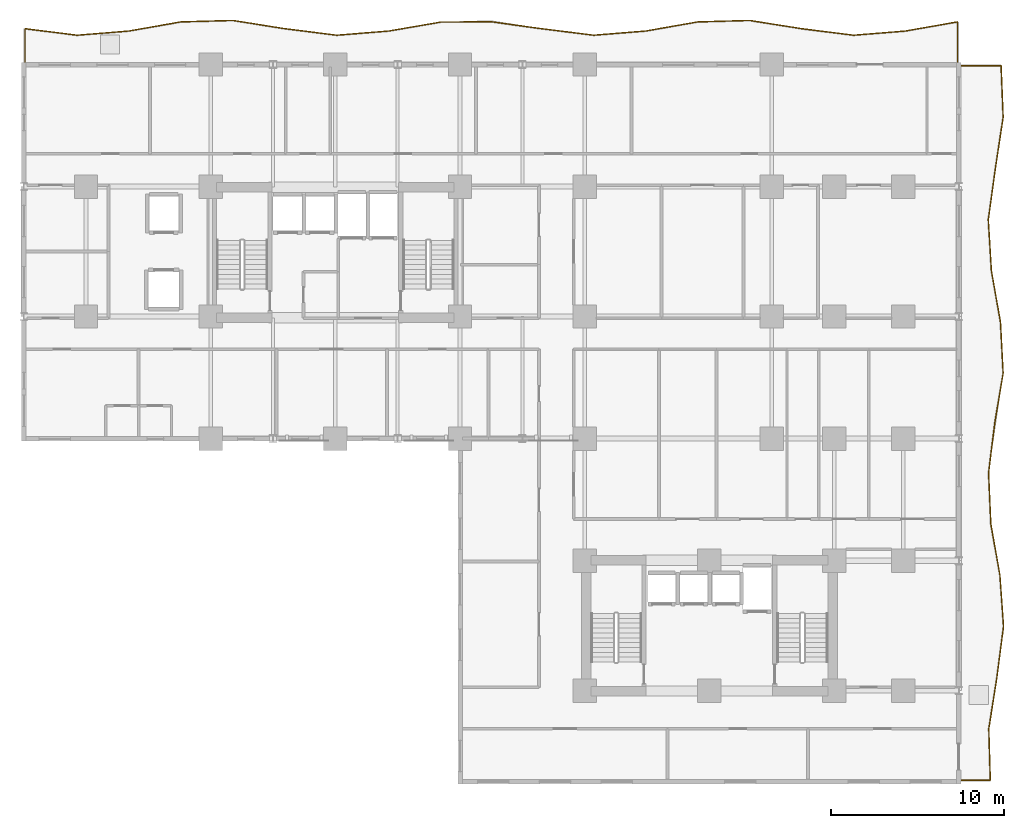
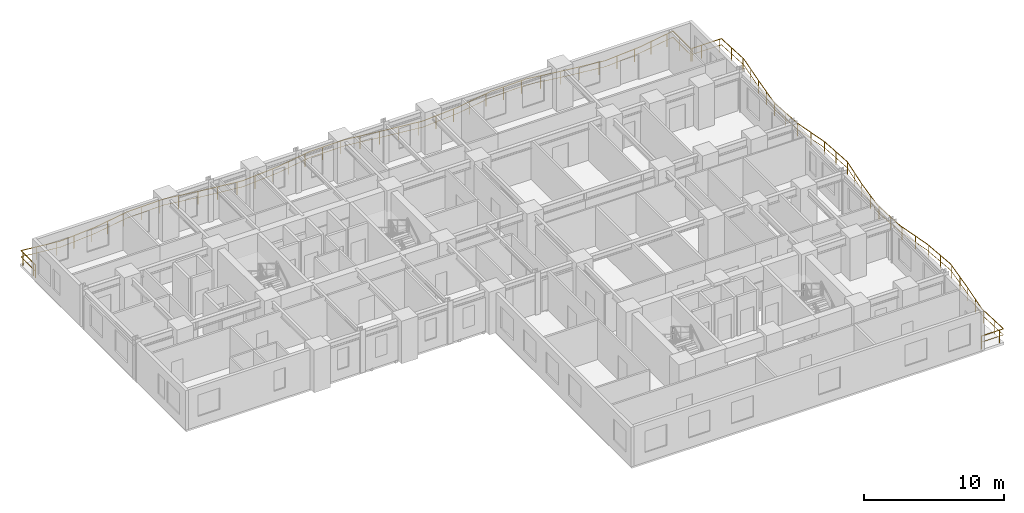
# One storey, part 11 of 11: 2 railings.
"""IFC4 building model written with IfcOpenShell, lengths in metres."""

from ifc_helpers import new_model, si_unit, direction, frame, origin, origin_2d, place, context, subcontext, project, spatial, rectangle, extrude, material, type_object, element, save


model = new_model("IFC4")

# Units and contexts
model_context = context("Model", 3, precision=1e-05, world=origin(), true_north=direction((0.0, 1.0)))
body_context = subcontext(model_context, "Body", "Model", "MODEL_VIEW")
ifc_project = project(units=[si_unit("LENGTHUNIT", "METRE"), si_unit("AREAUNIT", "SQUARE_METRE"), si_unit("VOLUMEUNIT", "CUBIC_METRE"), si_unit("PLANEANGLEUNIT", "RADIAN"), si_unit("MASSUNIT", "GRAM", prefix="KILO")], contexts=[model_context])

# Site, building, storey
site_placement = place(None, origin())
site = spatial("IfcSite", under=ifc_project, at=site_placement, CompositionType="ELEMENT")
building_placement = place(site_placement, origin())
building = spatial("IfcBuilding", under=site, at=building_placement, Name="Kaliganga Portal Commons", CompositionType="ELEMENT")
storey_placement = place(building_placement, frame((0.0, 0.0, 36.39990234375)))
storey = spatial("IfcBuildingStorey", under=building, at=storey_placement, Name="L08", CompositionType="ELEMENT", Elevation=36.39990234375)

# Railings
ifc_material = material(Name="Laminated Safety Glass and Stainless Steel 316", Category="steel")
railing_type = type_object("IfcRailingType", Name="RLG-BAL-1150", PredefinedType="BALUSTRADE", material=ifc_material)
railing_1_placement = place(storey_placement, frame((57.520263671875, 43.205810546875, 0.0)))
element("IfcRailing", 1, at=railing_1_placement, inside=storey, type_object=railing_type, Name="Balcony Guardrail L08 balc_north", PredefinedType="BALUSTRADE", context=body_context, shape_type="SweptSolid", body=[
    extrude(rectangle(XDim=0.048095703125, YDim=0.048095703125, at=origin_2d()), frame((0.0, 0.0, 1.1259765625), z_axis=(-9.9295005e-05, 0.99999999507, 0.0), x_axis=(-0.99999999507, -9.9295005e-05, 0.0)), (0.0, 0.0, 1.0), 2.458740234375),
    extrude(rectangle(XDim=0.028076171875, YDim=0.028076171875, at=origin_2d()), frame((0.0, 0.0, 0.597900390625), z_axis=(-9.9295005e-05, 0.99999999507, 0.0), x_axis=(-0.99999999507, -9.9295005e-05, 0.0)), (0.0, 0.0, 1.0), 2.458740234375),
    extrude(rectangle(XDim=0.048095703125, YDim=0.048095703125, at=origin_2d()), frame((-0.000244140625, 2.458740234375, 1.1259765625), z_axis=(-0.984817426759, -0.173593306182, 0.0), x_axis=(0.173593306182, -0.984817426759, 0.0)), (0.0, 0.0, 1.0), 3.046142578125),
    extrude(rectangle(XDim=0.028076171875, YDim=0.028076171875, at=origin_2d()), frame((-0.000244140625, 2.458740234375, 0.597900390625), z_axis=(-0.984817426759, -0.173593306182, 0.0), x_axis=(0.173593306182, -0.984817426759, 0.0)), (0.0, 0.0, 1.0), 3.046142578125),
    extrude(rectangle(XDim=0.048095703125, YDim=0.048095703125, at=origin_2d()), frame((-3.000244140625, 1.929931640625, 1.1259765625), z_axis=(-0.996744217551, -0.080628560567, 0.0), x_axis=(0.080628560567, -0.996744217551, 0.0)), (0.0, 0.0, 1.0), 3.009765625),
    extrude(rectangle(XDim=0.028076171875, YDim=0.028076171875, at=origin_2d()), frame((-3.000244140625, 1.929931640625, 0.597900390625), z_axis=(-0.996744217551, -0.080628560567, 0.0), x_axis=(0.080628560567, -0.996744217551, 0.0)), (0.0, 0.0, 1.0), 3.009765625),
    extrude(rectangle(XDim=0.048095703125, YDim=0.048095703125, at=origin_2d()), frame((-6.000244140625, 1.687255859375, 1.1259765625), z_axis=(-0.992158168336, 0.124988675503, 0.0), x_axis=(-0.124988675503, -0.992158168336, 0.0)), (0.0, 0.0, 1.0), 3.023681640625),
    extrude(rectangle(XDim=0.028076171875, YDim=0.028076171875, at=origin_2d()), frame((-6.000244140625, 1.687255859375, 0.597900390625), z_axis=(-0.992158168336, 0.124988675503, 0.0), x_axis=(-0.124988675503, -0.992158168336, 0.0)), (0.0, 0.0, 1.0), 3.023681640625),
    extrude(rectangle(XDim=0.048095703125, YDim=0.048095703125, at=origin_2d()), frame((-9.000244140625, 2.065185546875, 1.1259765625), z_axis=(-0.987653892093, 0.156651809545, 0.0), x_axis=(-0.156651809545, -0.987653892093, 0.0)), (0.0, 0.0, 1.0), 3.03759765625),
    extrude(rectangle(XDim=0.028076171875, YDim=0.028076171875, at=origin_2d()), frame((-9.000244140625, 2.065185546875, 0.597900390625), z_axis=(-0.987653892093, 0.156651809545, 0.0), x_axis=(-0.156651809545, -0.987653892093, 0.0)), (0.0, 0.0, 1.0), 3.03759765625),
    extrude(rectangle(XDim=0.048095703125, YDim=0.048095703125, at=origin_2d()), frame((-12.000244140625, 2.541015625, 1.1259765625), z_axis=(-0.999606097148, -0.028065112591, 0.0), x_axis=(0.028065112591, -0.999606097148, 0.0)), (0.0, 0.0, 1.0), 3.001220703125),
    extrude(rectangle(XDim=0.028076171875, YDim=0.028076171875, at=origin_2d()), frame((-12.000244140625, 2.541015625, 0.597900390625), z_axis=(-0.999606097148, -0.028065112591, 0.0), x_axis=(0.028065112591, -0.999606097148, 0.0)), (0.0, 0.0, 1.0), 3.001220703125),
    extrude(rectangle(XDim=0.048095703125, YDim=0.048095703125, at=origin_2d()), frame((-15.000244140625, 2.456787109375, 1.1259765625), z_axis=(-0.984926853339, -0.172971366334, 0.0), x_axis=(0.172971366334, -0.984926853339, 0.0)), (0.0, 0.0, 1.0), 3.0458984375),
    extrude(rectangle(XDim=0.028076171875, YDim=0.028076171875, at=origin_2d()), frame((-15.000244140625, 2.456787109375, 0.597900390625), z_axis=(-0.984926853339, -0.172971366334, 0.0), x_axis=(0.172971366334, -0.984926853339, 0.0)), (0.0, 0.0, 1.0), 3.0458984375),
    extrude(rectangle(XDim=0.048095703125, YDim=0.048095703125, at=origin_2d()), frame((-18.000244140625, 1.929931640625, 1.1259765625), z_axis=(-0.996796163047, -0.079983806703, 0.0), x_axis=(0.079983806703, -0.996796163047, 0.0)), (0.0, 0.0, 1.0), 3.009521484375),
    extrude(rectangle(XDim=0.028076171875, YDim=0.028076171875, at=origin_2d()), frame((-18.000244140625, 1.929931640625, 0.597900390625), z_axis=(-0.996796163047, -0.079983806703, 0.0), x_axis=(0.079983806703, -0.996796163047, 0.0)), (0.0, 0.0, 1.0), 3.009521484375),
    extrude(rectangle(XDim=0.048095703125, YDim=0.048095703125, at=origin_2d()), frame((-21.000244140625, 1.689208984375, 1.1259765625), z_axis=(-0.99236707481, 0.123319052998, 0.0), x_axis=(-0.123319052998, -0.99236707481, 0.0)), (0.0, 0.0, 1.0), 3.023193359375),
    extrude(rectangle(XDim=0.028076171875, YDim=0.028076171875, at=origin_2d()), frame((-21.000244140625, 1.689208984375, 0.597900390625), z_axis=(-0.99236707481, 0.123319052998, 0.0), x_axis=(-0.123319052998, -0.99236707481, 0.0)), (0.0, 0.0, 1.0), 3.023193359375),
    extrude(rectangle(XDim=0.048095703125, YDim=0.048095703125, at=origin_2d()), frame((-24.000244140625, 2.06201171875, 1.1259765625), z_axis=(-0.990639676987, 0.136502858501, 0.0), x_axis=(-0.136502858501, -0.990639676987, 0.0)), (0.0, 0.0, 1.0), 2.947509765625),
    extrude(rectangle(XDim=0.028076171875, YDim=0.028076171875, at=origin_2d()), frame((-24.000244140625, 2.06201171875, 0.597900390625), z_axis=(-0.990639676987, 0.136502858501, 0.0), x_axis=(-0.136502858501, -0.990639676987, 0.0)), (0.0, 0.0, 1.0), 2.947509765625),
    extrude(rectangle(XDim=0.048095703125, YDim=0.048095703125, at=origin_2d()), frame((-26.920166015625, 2.46435546875, 1.1259765625), z_axis=(-0.999980358179, -0.006267635539, 0.0), x_axis=(0.006267635539, -0.999980358179, 0.0)), (0.0, 0.0, 1.0), 2.92138671875),
    extrude(rectangle(XDim=0.028076171875, YDim=0.028076171875, at=origin_2d()), frame((-26.920166015625, 2.46435546875, 0.597900390625), z_axis=(-0.999980358179, -0.006267635539, 0.0), x_axis=(0.006267635539, -0.999980358179, 0.0)), (0.0, 0.0, 1.0), 2.92138671875),
    extrude(rectangle(XDim=0.048095703125, YDim=0.048095703125, at=origin_2d()), frame((-29.841552734375, 2.446044921875, 1.1259765625), z_axis=(-0.985510565724, -0.169614046726, 0.0), x_axis=(0.169614046726, -0.985510565724, 0.0)), (0.0, 0.0, 1.0), 3.04296875),
    extrude(rectangle(XDim=0.028076171875, YDim=0.028076171875, at=origin_2d()), frame((-29.841552734375, 2.446044921875, 0.597900390625), z_axis=(-0.985510565724, -0.169614046726, 0.0), x_axis=(0.169614046726, -0.985510565724, 0.0)), (0.0, 0.0, 1.0), 3.04296875),
    extrude(rectangle(XDim=0.048095703125, YDim=0.048095703125, at=origin_2d()), frame((-32.84033203125, 1.929931640625, 1.1259765625), z_axis=(-0.996770241754, -0.080306196235, 0.0), x_axis=(0.080306196235, -0.996770241754, 0.0)), (0.0, 0.0, 1.0), 3.009765625),
    extrude(rectangle(XDim=0.028076171875, YDim=0.028076171875, at=origin_2d()), frame((-32.84033203125, 1.929931640625, 0.597900390625), z_axis=(-0.996770241754, -0.080306196235, 0.0), x_axis=(0.080306196235, -0.996770241754, 0.0)), (0.0, 0.0, 1.0), 3.009765625),
    extrude(rectangle(XDim=0.048095703125, YDim=0.048095703125, at=origin_2d()), frame((-35.84033203125, 1.688232421875, 1.1259765625), z_axis=(-0.992208154771, 0.124591242091, 0.0), x_axis=(-0.124591242091, -0.992208154771, 0.0)), (0.0, 0.0, 1.0), 3.0234375),
    extrude(rectangle(XDim=0.028076171875, YDim=0.028076171875, at=origin_2d()), frame((-35.84033203125, 1.688232421875, 0.597900390625), z_axis=(-0.992208154771, 0.124591242091, 0.0), x_axis=(-0.124591242091, -0.992208154771, 0.0)), (0.0, 0.0, 1.0), 3.0234375),
    extrude(rectangle(XDim=0.048095703125, YDim=0.048095703125, at=origin_2d()), frame((-38.84033203125, 2.06494140625, 1.1259765625), z_axis=(-0.987641453623, 0.156730211146, 0.0), x_axis=(-0.156730211146, -0.987641453623, 0.0)), (0.0, 0.0, 1.0), 3.03759765625),
    extrude(rectangle(XDim=0.028076171875, YDim=0.028076171875, at=origin_2d()), frame((-38.84033203125, 2.06494140625, 0.597900390625), z_axis=(-0.987641453623, 0.156730211146, 0.0), x_axis=(-0.156730211146, -0.987641453623, 0.0)), (0.0, 0.0, 1.0), 3.03759765625),
    extrude(rectangle(XDim=0.048095703125, YDim=0.048095703125, at=origin_2d()), frame((-41.84033203125, 2.541015625, 1.1259765625), z_axis=(-0.999617425383, -0.027658685273, 0.0), x_axis=(0.027658685273, -0.999617425383, 0.0)), (0.0, 0.0, 1.0), 3.001220703125),
    extrude(rectangle(XDim=0.028076171875, YDim=0.028076171875, at=origin_2d()), frame((-41.84033203125, 2.541015625, 0.597900390625), z_axis=(-0.999617425383, -0.027658685273, 0.0), x_axis=(0.027658685273, -0.999617425383, 0.0)), (0.0, 0.0, 1.0), 3.001220703125),
    extrude(rectangle(XDim=0.048095703125, YDim=0.048095703125, at=origin_2d()), frame((-44.84033203125, 2.4580078125, 1.1259765625), z_axis=(-0.984858504901, -0.173360103036, 0.0), x_axis=(0.173360103036, -0.984858504901, 0.0)), (0.0, 0.0, 1.0), 3.046142578125),
    extrude(rectangle(XDim=0.028076171875, YDim=0.028076171875, at=origin_2d()), frame((-44.84033203125, 2.4580078125, 0.597900390625), z_axis=(-0.984858504901, -0.173360103036, 0.0), x_axis=(0.173360103036, -0.984858504901, 0.0)), (0.0, 0.0, 1.0), 3.046142578125),
    extrude(rectangle(XDim=0.048095703125, YDim=0.048095703125, at=origin_2d()), frame((-47.84033203125, 1.929931640625, 1.1259765625), z_axis=(-0.996737695423, -0.080709147701, 0.0), x_axis=(0.080709147701, -0.996737695423, 0.0)), (0.0, 0.0, 1.0), 3.009765625),
    extrude(rectangle(XDim=0.028076171875, YDim=0.028076171875, at=origin_2d()), frame((-47.84033203125, 1.929931640625, 0.597900390625), z_axis=(-0.996737695423, -0.080709147701, 0.0), x_axis=(0.080709147701, -0.996737695423, 0.0)), (0.0, 0.0, 1.0), 3.009765625),
    extrude(rectangle(XDim=0.048095703125, YDim=0.048095703125, at=origin_2d()), frame((-50.84033203125, 1.68701171875, 1.1259765625), z_axis=(-0.992138130603, 0.125147632034, 0.0), x_axis=(-0.125147632034, -0.992138130603, 0.0)), (0.0, 0.0, 1.0), 3.023681640625),
    extrude(rectangle(XDim=0.028076171875, YDim=0.028076171875, at=origin_2d()), frame((-50.84033203125, 1.68701171875, 0.597900390625), z_axis=(-0.992138130603, 0.125147632034, 0.0), x_axis=(-0.125147632034, -0.992138130603, 0.0)), (0.0, 0.0, 1.0), 3.023681640625),
    extrude(rectangle(XDim=0.048095703125, YDim=0.048095703125, at=origin_2d()), frame((-53.84033203125, 2.0654296875, 1.1259765625), z_axis=(-0.000118203309, -0.999999993014, 0.0), x_axis=(0.999999993014, -0.000118203309, 0.0)), (0.0, 0.0, 1.0), 2.0654296875),
    extrude(rectangle(XDim=0.028076171875, YDim=0.028076171875, at=origin_2d()), frame((-53.84033203125, 2.0654296875, 0.597900390625), z_axis=(-0.000118203309, -0.999999993014, 0.0), x_axis=(0.999999993014, -0.000118203309, 0.0)), (0.0, 0.0, 1.0), 2.0654296875),
    extrude(rectangle(XDim=0.0419921875, YDim=0.0419921875, at=origin_2d()), origin(), (0.0, 0.0, 1.0), 1.101806640625),
    extrude(rectangle(XDim=0.0419921875, YDim=0.0419921875, at=origin_2d()), frame((-0.000244140625, 1.5, 0.0)), (0.0, 0.0, 1.0), 1.101806640625),
    extrude(rectangle(XDim=0.0419921875, YDim=0.0419921875, at=origin_2d()), frame((-0.533203125, 2.36474609375, 0.0)), (0.0, 0.0, 1.0), 1.101806640625),
    extrude(rectangle(XDim=0.0419921875, YDim=0.0419921875, at=origin_2d()), frame((-2.010498046875, 2.1044921875, 0.0)), (0.0, 0.0, 1.0), 1.101806640625),
    extrude(rectangle(XDim=0.0419921875, YDim=0.0419921875, at=origin_2d()), frame((-3.49365234375, 1.89013671875, 0.0)), (0.0, 0.0, 1.0), 1.101806640625),
    extrude(rectangle(XDim=0.0419921875, YDim=0.0419921875, at=origin_2d()), frame((-4.98876953125, 1.76904296875, 0.0)), (0.0, 0.0, 1.0), 1.101806640625),
    extrude(rectangle(XDim=0.0419921875, YDim=0.0419921875, at=origin_2d()), frame((-6.481689453125, 1.747802734375, 0.0)), (0.0, 0.0, 1.0), 1.101806640625),
    extrude(rectangle(XDim=0.0419921875, YDim=0.0419921875, at=origin_2d()), frame((-7.969970703125, 1.935302734375, 0.0)), (0.0, 0.0, 1.0), 1.101806640625),
    extrude(rectangle(XDim=0.0419921875, YDim=0.0419921875, at=origin_2d()), frame((-9.4560546875, 2.137451171875, 0.0)), (0.0, 0.0, 1.0), 1.101806640625),
    extrude(rectangle(XDim=0.0419921875, YDim=0.0419921875, at=origin_2d()), frame((-10.9375, 2.37255859375, 0.0)), (0.0, 0.0, 1.0), 1.101806640625),
    extrude(rectangle(XDim=0.0419921875, YDim=0.0419921875, at=origin_2d()), frame((-12.424072265625, 2.529052734375, 0.0)), (0.0, 0.0, 1.0), 1.101806640625),
    extrude(rectangle(XDim=0.0419921875, YDim=0.0419921875, at=origin_2d()), frame((-13.923583984375, 2.487060546875, 0.0)), (0.0, 0.0, 1.0), 1.101806640625),
    extrude(rectangle(XDim=0.0419921875, YDim=0.0419921875, at=origin_2d()), frame((-15.416748046875, 2.383544921875, 0.0)), (0.0, 0.0, 1.0), 1.101806640625),
    extrude(rectangle(XDim=0.0419921875, YDim=0.0419921875, at=origin_2d()), frame((-16.89404296875, 2.124267578125, 0.0)), (0.0, 0.0, 1.0), 1.101806640625),
    extrude(rectangle(XDim=0.0419921875, YDim=0.0419921875, at=origin_2d()), frame((-18.3759765625, 1.89990234375, 0.0)), (0.0, 0.0, 1.0), 1.101806640625),
    extrude(rectangle(XDim=0.0419921875, YDim=0.0419921875, at=origin_2d()), frame((-19.87109375, 1.77978515625, 0.0)), (0.0, 0.0, 1.0), 1.101806640625),
    extrude(rectangle(XDim=0.0419921875, YDim=0.0419921875, at=origin_2d()), frame((-21.36474609375, 1.734619140625, 0.0)), (0.0, 0.0, 1.0), 1.101806640625),
    extrude(rectangle(XDim=0.0419921875, YDim=0.0419921875, at=origin_2d()), frame((-22.853271484375, 1.91943359375, 0.0)), (0.0, 0.0, 1.0), 1.101806640625),
    extrude(rectangle(XDim=0.0419921875, YDim=0.0419921875, at=origin_2d()), frame((-24.34130859375, 2.10888671875, 0.0)), (0.0, 0.0, 1.0), 1.101806640625),
    extrude(rectangle(XDim=0.0419921875, YDim=0.0419921875, at=origin_2d()), frame((-25.8271484375, 2.313720703125, 0.0)), (0.0, 0.0, 1.0), 1.101806640625),
    extrude(rectangle(XDim=0.0419921875, YDim=0.0419921875, at=origin_2d()), frame((-27.31689453125, 2.4619140625, 0.0)), (0.0, 0.0, 1.0), 1.101806640625),
    extrude(rectangle(XDim=0.0419921875, YDim=0.0419921875, at=origin_2d()), frame((-28.81689453125, 2.452392578125, 0.0)), (0.0, 0.0, 1.0), 1.101806640625),
    extrude(rectangle(XDim=0.0419921875, YDim=0.0419921875, at=origin_2d()), frame((-30.309814453125, 2.365478515625, 0.0)), (0.0, 0.0, 1.0), 1.101806640625),
    extrude(rectangle(XDim=0.0419921875, YDim=0.0419921875, at=origin_2d()), frame((-31.7880859375, 2.111083984375, 0.0)), (0.0, 0.0, 1.0), 1.101806640625),
    extrude(rectangle(XDim=0.0419921875, YDim=0.0419921875, at=origin_2d()), frame((-33.271240234375, 1.895263671875, 0.0)), (0.0, 0.0, 1.0), 1.101806640625),
    extrude(rectangle(XDim=0.0419921875, YDim=0.0419921875, at=origin_2d()), frame((-34.766357421875, 1.774658203125, 0.0)), (0.0, 0.0, 1.0), 1.101806640625),
    extrude(rectangle(XDim=0.0419921875, YDim=0.0419921875, at=origin_2d()), frame((-36.259765625, 1.740966796875, 0.0)), (0.0, 0.0, 1.0), 1.101806640625),
    extrude(rectangle(XDim=0.0419921875, YDim=0.0419921875, at=origin_2d()), frame((-37.748046875, 1.927734375, 0.0)), (0.0, 0.0, 1.0), 1.101806640625),
    extrude(rectangle(XDim=0.0419921875, YDim=0.0419921875, at=origin_2d()), frame((-39.234375, 2.12744140625, 0.0)), (0.0, 0.0, 1.0), 1.101806640625),
    extrude(rectangle(XDim=0.0419921875, YDim=0.0419921875, at=origin_2d()), frame((-40.716064453125, 2.362548828125, 0.0)), (0.0, 0.0, 1.0), 1.101806640625),
    extrude(rectangle(XDim=0.0419921875, YDim=0.0419921875, at=origin_2d()), frame((-42.20166015625, 2.531005859375, 0.0)), (0.0, 0.0, 1.0), 1.101806640625),
    extrude(rectangle(XDim=0.0419921875, YDim=0.0419921875, at=origin_2d()), frame((-43.701171875, 2.489501953125, 0.0)), (0.0, 0.0, 1.0), 1.101806640625),
    extrude(rectangle(XDim=0.0419921875, YDim=0.0419921875, at=origin_2d()), frame((-45.1953125, 2.3955078125, 0.0)), (0.0, 0.0, 1.0), 1.101806640625),
    extrude(rectangle(XDim=0.0419921875, YDim=0.0419921875, at=origin_2d()), frame((-46.672607421875, 2.135498046875, 0.0)), (0.0, 0.0, 1.0), 1.101806640625),
    extrude(rectangle(XDim=0.0419921875, YDim=0.0419921875, at=origin_2d()), frame((-48.153564453125, 1.904541015625, 0.0)), (0.0, 0.0, 1.0), 1.101806640625),
    extrude(rectangle(XDim=0.0419921875, YDim=0.0419921875, at=origin_2d()), frame((-49.648681640625, 1.783447265625, 0.0)), (0.0, 0.0, 1.0), 1.101806640625),
    extrude(rectangle(XDim=0.0419921875, YDim=0.0419921875, at=origin_2d()), frame((-51.142333984375, 1.72509765625, 0.0)), (0.0, 0.0, 1.0), 1.101806640625),
    extrude(rectangle(XDim=0.0419921875, YDim=0.0419921875, at=origin_2d()), frame((-52.630615234375, 1.912841796875, 0.0)), (0.0, 0.0, 1.0), 1.101806640625),
    extrude(rectangle(XDim=0.0419921875, YDim=0.0419921875, at=origin_2d()), frame((-53.84033203125, 1.78466796875, 0.0)), (0.0, 0.0, 1.0), 1.101806640625),
    extrude(rectangle(XDim=0.0419921875, YDim=0.0419921875, at=origin_2d()), frame((-53.840576171875, 0.28466796875, 0.0)), (0.0, 0.0, 1.0), 1.101806640625),
    extrude(rectangle(XDim=0.0419921875, YDim=0.0419921875, at=origin_2d()), frame((-53.840576171875, 0.0, 0.0)), (0.0, 0.0, 1.0), 1.101806640625),
])
railing_2_placement = place(storey_placement, frame((57.607421875, 1.879638671875, 0.0)))
element("IfcRailing", 2, at=railing_2_placement, inside=storey, type_object=railing_type, Name="Balcony Guardrail L08 balc_east", PredefinedType="BALUSTRADE", context=body_context, shape_type="SweptSolid", body=[
    extrude(rectangle(XDim=0.048095703125, YDim=0.048095703125, at=origin_2d()), frame((0.0, 0.0, 1.1259765625), z_axis=(0.999999990936, 0.000134643866, 0.0), x_axis=(-0.000134643866, 0.999999990936, 0.0)), (0.0, 0.0, 1.0), 1.813232421875),
    extrude(rectangle(XDim=0.028076171875, YDim=0.028076171875, at=origin_2d()), frame((0.0, 0.0, 0.597900390625), z_axis=(0.999999990936, 0.000134643866, 0.0), x_axis=(-0.000134643866, 0.999999990936, 0.0)), (0.0, 0.0, 1.0), 1.813232421875),
    extrude(rectangle(XDim=0.048095703125, YDim=0.048095703125, at=origin_2d()), frame((1.813232421875, 0.000244140625, 1.1259765625), z_axis=(-0.029542123831, 0.999563536209, 0.0), x_axis=(-0.999563536209, -0.029542123831, 0.0)), (0.0, 0.0, 1.0), 2.95849609375),
    extrude(rectangle(XDim=0.028076171875, YDim=0.028076171875, at=origin_2d()), frame((1.813232421875, 0.000244140625, 0.597900390625), z_axis=(-0.029542123831, 0.999563536209, 0.0), x_axis=(-0.999563536209, -0.029542123831, 0.0)), (0.0, 0.0, 1.0), 2.95849609375),
    extrude(rectangle(XDim=0.048095703125, YDim=0.048095703125, at=origin_2d()), frame((1.725830078125, 2.95751953125, 1.1259765625), z_axis=(0.154894404657, 0.987931031705, 0.0), x_axis=(-0.987931031705, 0.154894404657, 0.0)), (0.0, 0.0, 1.0), 2.9931640625),
    extrude(rectangle(XDim=0.028076171875, YDim=0.028076171875, at=origin_2d()), frame((1.725830078125, 2.95751953125, 0.597900390625), z_axis=(0.154894404657, 0.987931031705, 0.0), x_axis=(-0.987931031705, 0.154894404657, 0.0)), (0.0, 0.0, 1.0), 2.9931640625),
    extrude(rectangle(XDim=0.048095703125, YDim=0.048095703125, at=origin_2d()), frame((2.189453125, 5.91455078125, 1.1259765625), z_axis=(0.130238520668, 0.991482691596, 0.0), x_axis=(-0.991482691596, 0.130238520668, 0.0)), (0.0, 0.0, 1.0), 2.982421875),
    extrude(rectangle(XDim=0.028076171875, YDim=0.028076171875, at=origin_2d()), frame((2.189453125, 5.91455078125, 0.597900390625), z_axis=(0.130238520668, 0.991482691596, 0.0), x_axis=(-0.991482691596, 0.130238520668, 0.0)), (0.0, 0.0, 1.0), 2.982421875),
    extrude(rectangle(XDim=0.048095703125, YDim=0.048095703125, at=origin_2d()), frame((2.577880859375, 8.87158203125, 1.1259765625), z_axis=(-0.070983702125, 0.997477475451, 0.0), x_axis=(-0.997477475451, -0.070983702125, 0.0)), (0.0, 0.0, 1.0), 2.96484375),
    extrude(rectangle(XDim=0.028076171875, YDim=0.028076171875, at=origin_2d()), frame((2.577880859375, 8.87158203125, 0.597900390625), z_axis=(-0.070983702125, 0.997477475451, 0.0), x_axis=(-0.997477475451, -0.070983702125, 0.0)), (0.0, 0.0, 1.0), 2.96484375),
    extrude(rectangle(XDim=0.048095703125, YDim=0.048095703125, at=origin_2d()), frame((2.367431640625, 11.828857421875, 1.1259765625), z_axis=(-0.174369617896, 0.984680271131, 0.0), x_axis=(-0.984680271131, -0.174369617896, 0.0)), (0.0, 0.0, 1.0), 3.003173828125),
    extrude(rectangle(XDim=0.028076171875, YDim=0.028076171875, at=origin_2d()), frame((2.367431640625, 11.828857421875, 0.597900390625), z_axis=(-0.174369617896, 0.984680271131, 0.0), x_axis=(-0.984680271131, -0.174369617896, 0.0)), (0.0, 0.0, 1.0), 3.003173828125),
    extrude(rectangle(XDim=0.048095703125, YDim=0.048095703125, at=origin_2d()), frame((1.84375, 14.7861328125, 1.1259765625), z_axis=(-0.043963397038, 0.999033142454, 0.0), x_axis=(-0.999033142454, -0.043963397038, 0.0)), (0.0, 0.0, 1.0), 2.9599609375),
    extrude(rectangle(XDim=0.028076171875, YDim=0.028076171875, at=origin_2d()), frame((1.84375, 14.7861328125, 0.597900390625), z_axis=(-0.043963397038, 0.999033142454, 0.0), x_axis=(-0.999033142454, -0.043963397038, 0.0)), (0.0, 0.0, 1.0), 2.9599609375),
    extrude(rectangle(XDim=0.048095703125, YDim=0.048095703125, at=origin_2d()), frame((1.713623046875, 17.7431640625, 1.1259765625), z_axis=(0.122946409375, 0.992413311288, 0.0), x_axis=(-0.992413311288, 0.122946409375, 0.0)), (0.0, 0.0, 1.0), 2.899169921875),
    extrude(rectangle(XDim=0.028076171875, YDim=0.028076171875, at=origin_2d()), frame((1.713623046875, 17.7431640625, 0.597900390625), z_axis=(0.122946409375, 0.992413311288, 0.0), x_axis=(-0.992413311288, 0.122946409375, 0.0)), (0.0, 0.0, 1.0), 2.899169921875),
    extrude(rectangle(XDim=0.048095703125, YDim=0.048095703125, at=origin_2d()), frame((2.070068359375, 20.620361328125, 1.1259765625), z_axis=(0.165741327592, 0.9861692615, 0.0), x_axis=(-0.9861692615, 0.165741327592, 0.0)), (0.0, 0.0, 1.0), 2.91943359375),
    extrude(rectangle(XDim=0.028076171875, YDim=0.028076171875, at=origin_2d()), frame((2.070068359375, 20.620361328125, 0.597900390625), z_axis=(0.165741327592, 0.9861692615, 0.0), x_axis=(-0.9861692615, 0.165741327592, 0.0)), (0.0, 0.0, 1.0), 2.91943359375),
    extrude(rectangle(XDim=0.048095703125, YDim=0.048095703125, at=origin_2d()), frame((2.553955078125, 23.49951171875, 1.1259765625), z_axis=(-0.05238131871, 0.998627156375, 0.0), x_axis=(-0.998627156375, -0.05238131871, 0.0)), (0.0, 0.0, 1.0), 2.959716796875),
    extrude(rectangle(XDim=0.028076171875, YDim=0.028076171875, at=origin_2d()), frame((2.553955078125, 23.49951171875, 0.597900390625), z_axis=(-0.05238131871, 0.998627156375, 0.0), x_axis=(-0.998627156375, -0.05238131871, 0.0)), (0.0, 0.0, 1.0), 2.959716796875),
    extrude(rectangle(XDim=0.048095703125, YDim=0.048095703125, at=origin_2d()), frame((2.39892578125, 26.455078125, 1.1259765625), z_axis=(-0.174239867943, 0.984703238757, 0.0), x_axis=(-0.984703238757, -0.174239867943, 0.0)), (0.0, 0.0, 1.0), 3.002685546875),
    extrude(rectangle(XDim=0.028076171875, YDim=0.028076171875, at=origin_2d()), frame((2.39892578125, 26.455078125, 0.597900390625), z_axis=(-0.174239867943, 0.984703238757, 0.0), x_axis=(-0.984703238757, -0.174239867943, 0.0)), (0.0, 0.0, 1.0), 3.002685546875),
    extrude(rectangle(XDim=0.048095703125, YDim=0.048095703125, at=origin_2d()), frame((1.875732421875, 29.411865234375, 1.1259765625), z_axis=(-0.06024374849, 0.998183695904, 0.0), x_axis=(-0.998183695904, -0.06024374849, 0.0)), (0.0, 0.0, 1.0), 2.96240234375),
    extrude(rectangle(XDim=0.028076171875, YDim=0.028076171875, at=origin_2d()), frame((1.875732421875, 29.411865234375, 0.597900390625), z_axis=(-0.06024374849, 0.998183695904, 0.0), x_axis=(-0.998183695904, -0.06024374849, 0.0)), (0.0, 0.0, 1.0), 2.96240234375),
    extrude(rectangle(XDim=0.048095703125, YDim=0.048095703125, at=origin_2d()), frame((1.697265625, 32.368896484375, 1.1259765625), z_axis=(0.137539401504, 0.990496296325, 0.0), x_axis=(-0.990496296325, 0.137539401504, 0.0)), (0.0, 0.0, 1.0), 2.985595703125),
    extrude(rectangle(XDim=0.028076171875, YDim=0.028076171875, at=origin_2d()), frame((1.697265625, 32.368896484375, 0.597900390625), z_axis=(0.137539401504, 0.990496296325, 0.0), x_axis=(-0.990496296325, 0.137539401504, 0.0)), (0.0, 0.0, 1.0), 2.985595703125),
    extrude(rectangle(XDim=0.048095703125, YDim=0.048095703125, at=origin_2d()), frame((2.10791015625, 35.326171875, 1.1259765625), z_axis=(0.149541806276, 0.988755403614, 0.0), x_axis=(-0.988755403614, 0.149541806276, 0.0)), (0.0, 0.0, 1.0), 2.990966796875),
    extrude(rectangle(XDim=0.028076171875, YDim=0.028076171875, at=origin_2d()), frame((2.10791015625, 35.326171875, 0.597900390625), z_axis=(0.149541806276, 0.988755403614, 0.0), x_axis=(-0.988755403614, 0.149541806276, 0.0)), (0.0, 0.0, 1.0), 2.990966796875),
    extrude(rectangle(XDim=0.048095703125, YDim=0.048095703125, at=origin_2d()), frame((2.55517578125, 38.283447265625, 1.1259765625), z_axis=(-0.040340319767, 0.999185998001, 0.0), x_axis=(-0.999185998001, -0.040340319767, 0.0)), (0.0, 0.0, 1.0), 2.95947265625),
    extrude(rectangle(XDim=0.028076171875, YDim=0.028076171875, at=origin_2d()), frame((2.55517578125, 38.283447265625, 0.597900390625), z_axis=(-0.040340319767, 0.999185998001, 0.0), x_axis=(-0.999185998001, -0.040340319767, 0.0)), (0.0, 0.0, 1.0), 2.95947265625),
    extrude(rectangle(XDim=0.048095703125, YDim=0.048095703125, at=origin_2d()), frame((2.435791015625, 41.240478515625, 1.1259765625), z_axis=(-0.999999994977, 0.00010023053, 0.0), x_axis=(-0.00010023053, -0.999999994977, 0.0)), (0.0, 0.0, 1.0), 2.435791015625),
    extrude(rectangle(XDim=0.028076171875, YDim=0.028076171875, at=origin_2d()), frame((2.435791015625, 41.240478515625, 0.597900390625), z_axis=(-0.999999994977, 0.00010023053, 0.0), x_axis=(-0.00010023053, -0.999999994977, 0.0)), (0.0, 0.0, 1.0), 2.435791015625),
    extrude(rectangle(XDim=0.0419921875, YDim=0.0419921875, at=origin_2d()), origin(), (0.0, 0.0, 1.0), 1.101806640625),
    extrude(rectangle(XDim=0.0419921875, YDim=0.0419921875, at=origin_2d()), frame((1.5, 0.000244140625, 0.0)), (0.0, 0.0, 1.0), 1.101806640625),
    extrude(rectangle(XDim=0.0419921875, YDim=0.0419921875, at=origin_2d()), frame((1.778076171875, 1.1865234375, 0.0)), (0.0, 0.0, 1.0), 1.101806640625),
    extrude(rectangle(XDim=0.0419921875, YDim=0.0419921875, at=origin_2d()), frame((1.73388671875, 2.685791015625, 0.0)), (0.0, 0.0, 1.0), 1.101806640625),
    extrude(rectangle(XDim=0.0419921875, YDim=0.0419921875, at=origin_2d()), frame((1.916015625, 4.1708984375, 0.0)), (0.0, 0.0, 1.0), 1.101806640625),
    extrude(rectangle(XDim=0.0419921875, YDim=0.0419921875, at=origin_2d()), frame((2.1484375, 5.65283203125, 0.0)), (0.0, 0.0, 1.0), 1.101806640625),
    extrude(rectangle(XDim=0.0419921875, YDim=0.0419921875, at=origin_2d()), frame((2.350341796875, 7.13916015625, 0.0)), (0.0, 0.0, 1.0), 1.101806640625),
    extrude(rectangle(XDim=0.0419921875, YDim=0.0419921875, at=origin_2d()), frame((2.545654296875, 8.626220703125, 0.0)), (0.0, 0.0, 1.0), 1.101806640625),
    extrude(rectangle(XDim=0.0419921875, YDim=0.0419921875, at=origin_2d()), frame((2.489013671875, 10.12109375, 0.0)), (0.0, 0.0, 1.0), 1.101806640625),
    extrude(rectangle(XDim=0.0419921875, YDim=0.0419921875, at=origin_2d()), frame((2.382568359375, 11.6171875, 0.0)), (0.0, 0.0, 1.0), 1.101806640625),
    extrude(rectangle(XDim=0.0419921875, YDim=0.0419921875, at=origin_2d()), frame((2.142822265625, 13.096923828125, 0.0)), (0.0, 0.0, 1.0), 1.101806640625),
    extrude(rectangle(XDim=0.0419921875, YDim=0.0419921875, at=origin_2d()), frame((1.88134765625, 14.573974609375, 0.0)), (0.0, 0.0, 1.0), 1.101806640625),
    extrude(rectangle(XDim=0.0419921875, YDim=0.0419921875, at=origin_2d()), frame((1.787353515625, 16.069580078125, 0.0)), (0.0, 0.0, 1.0), 1.101806640625),
    extrude(rectangle(XDim=0.0419921875, YDim=0.0419921875, at=origin_2d()), frame((1.721435546875, 17.568115234375, 0.0)), (0.0, 0.0, 1.0), 1.101806640625),
    extrude(rectangle(XDim=0.0419921875, YDim=0.0419921875, at=origin_2d()), frame((1.87646484375, 19.057861328125, 0.0)), (0.0, 0.0, 1.0), 1.101806640625),
    extrude(rectangle(XDim=0.0419921875, YDim=0.0419921875, at=origin_2d()), frame((2.070068359375, 20.620361328125, 0.0)), (0.0, 0.0, 1.0), 1.101806640625),
    extrude(rectangle(XDim=0.0419921875, YDim=0.0419921875, at=origin_2d()), frame((2.306396484375, 22.026123046875, 0.0)), (0.0, 0.0, 1.0), 1.101806640625),
    extrude(rectangle(XDim=0.0419921875, YDim=0.0419921875, at=origin_2d()), frame((2.5537109375, 23.50537109375, 0.0)), (0.0, 0.0, 1.0), 1.101806640625),
    extrude(rectangle(XDim=0.0419921875, YDim=0.0419921875, at=origin_2d()), frame((2.47509765625, 25.00341796875, 0.0)), (0.0, 0.0, 1.0), 1.101806640625),
    extrude(rectangle(XDim=0.0419921875, YDim=0.0419921875, at=origin_2d()), frame((2.390869140625, 26.500732421875, 0.0)), (0.0, 0.0, 1.0), 1.101806640625),
    extrude(rectangle(XDim=0.0419921875, YDim=0.0419921875, at=origin_2d()), frame((2.12939453125, 27.977783203125, 0.0)), (0.0, 0.0, 1.0), 1.101806640625),
    extrude(rectangle(XDim=0.0419921875, YDim=0.0419921875, at=origin_2d()), frame((1.873046875, 29.455322265625, 0.0)), (0.0, 0.0, 1.0), 1.101806640625),
    extrude(rectangle(XDim=0.0419921875, YDim=0.0419921875, at=origin_2d()), frame((1.78271484375, 30.95263671875, 0.0)), (0.0, 0.0, 1.0), 1.101806640625),
    extrude(rectangle(XDim=0.0419921875, YDim=0.0419921875, at=origin_2d()), frame((1.70849609375, 32.44921875, 0.0)), (0.0, 0.0, 1.0), 1.101806640625),
    extrude(rectangle(XDim=0.0419921875, YDim=0.0419921875, at=origin_2d()), frame((1.914794921875, 33.93505859375, 0.0)), (0.0, 0.0, 1.0), 1.101806640625),
    extrude(rectangle(XDim=0.0419921875, YDim=0.0419921875, at=origin_2d()), frame((2.122314453125, 35.420654296875, 0.0)), (0.0, 0.0, 1.0), 1.101806640625),
    extrude(rectangle(XDim=0.0419921875, YDim=0.0419921875, at=origin_2d()), frame((2.346435546875, 36.90380859375, 0.0)), (0.0, 0.0, 1.0), 1.101806640625),
    extrude(rectangle(XDim=0.0419921875, YDim=0.0419921875, at=origin_2d()), frame((2.551025390625, 38.387939453125, 0.0)), (0.0, 0.0, 1.0), 1.101806640625),
    extrude(rectangle(XDim=0.0419921875, YDim=0.0419921875, at=origin_2d()), frame((2.490478515625, 39.88671875, 0.0)), (0.0, 0.0, 1.0), 1.101806640625),
    extrude(rectangle(XDim=0.0419921875, YDim=0.0419921875, at=origin_2d()), frame((2.29052734375, 41.240478515625, 0.0)), (0.0, 0.0, 1.0), 1.101806640625),
    extrude(rectangle(XDim=0.0419921875, YDim=0.0419921875, at=origin_2d()), frame((0.79052734375, 41.24072265625, 0.0)), (0.0, 0.0, 1.0), 1.101806640625),
    extrude(rectangle(XDim=0.0419921875, YDim=0.0419921875, at=origin_2d()), frame((0.0, 41.24072265625, 0.0)), (0.0, 0.0, 1.0), 1.101806640625),
])

save(model, "model.ifc")
